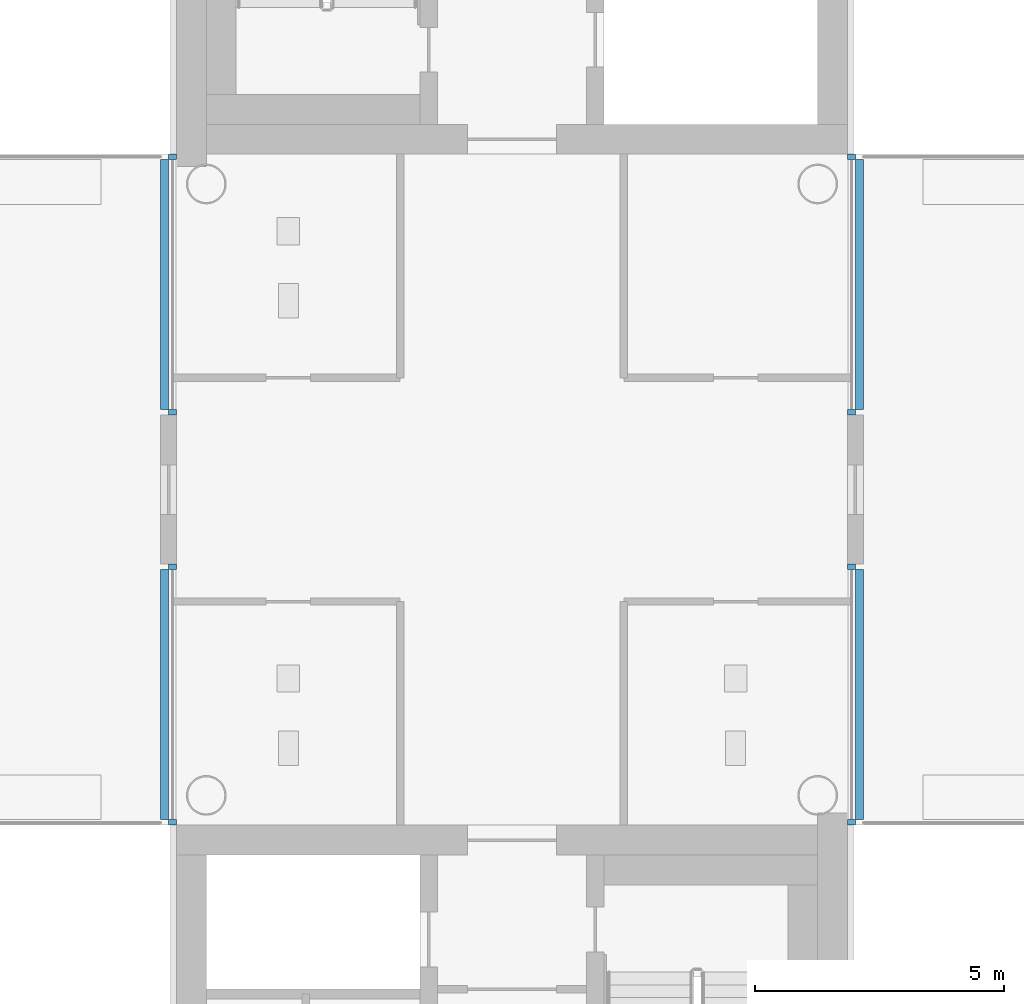
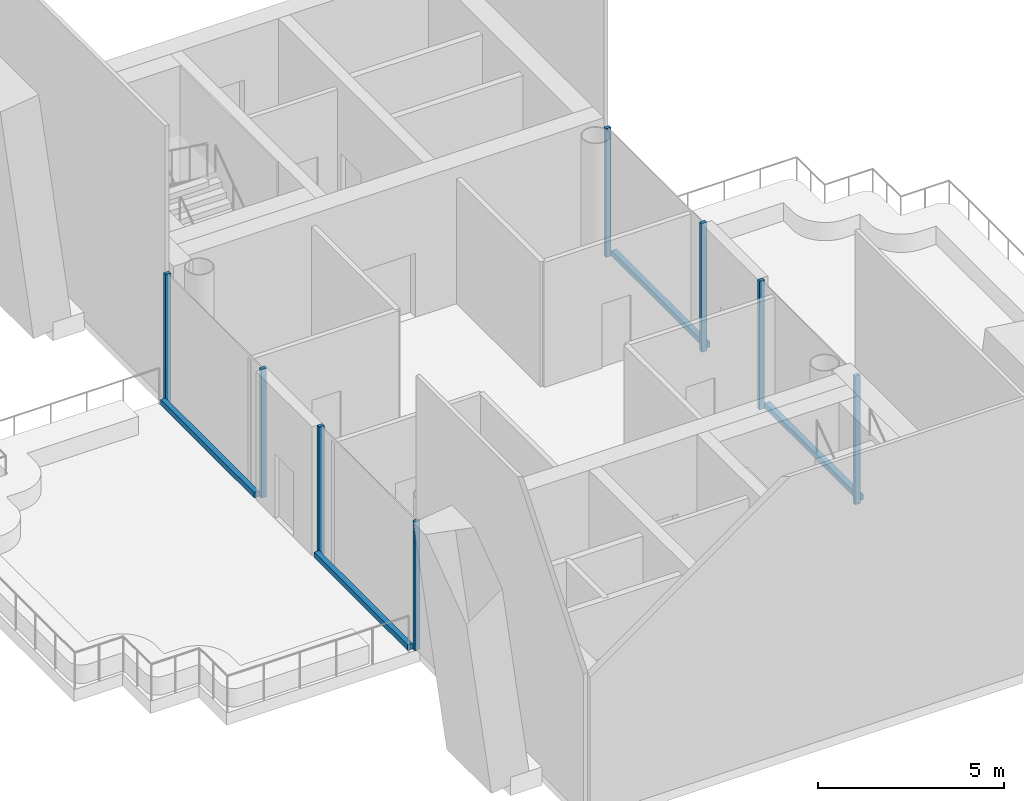
# One storey, part 3 of 17: 12 members, 4 elements without a shape of their own.
"""IFC4 building model written with IfcOpenShell, lengths in metres."""

import ifcopenshell
import ifcopenshell.guid

model = None  # the IFC model being written
_history = None  # IfcOwnerHistory: only IFC2X3 demands one
_inside = {}  # id of a spatial element -> (the spatial element, [elements in it])
_under = {}  # id of a project, library or spatial element -> (it, [spatial elements below it])
_declared = {}  # id of a project -> (the project, [libraries it declares])
_typed = {}  # id of a type object -> (the type object, [elements of that type])
_made_of = {}  # id of a material, layer set ... -> (it, [elements and type objects made of it])


def new_model(schema):
    """Start an empty IFC model of exactly this schema.

    Asked for "IFC4X3", IfcOpenShell would pick the latest addendum, in which some entities
    have other attributes; the version numbers below select the first issue.
    IFC2X3 requires an IfcOwnerHistory on every rooted entity: one is made here for all.
    """
    global model, _history
    if schema == "IFC4X3":
        model = ifcopenshell.file(schema_version=(4, 3, 0, 0))
    else:
        model = ifcopenshell.file(schema=schema)
    _inside.clear()
    _under.clear()
    _declared.clear()
    _typed.clear()
    _made_of.clear()
    _history = None
    if model.schema == "IFC2X3":
        org = make("IfcOrganization", Name="unknown")
        user = make(
            "IfcPersonAndOrganization",
            ThePerson=make("IfcPerson", FamilyName="unknown"),
            TheOrganization=org,
        )
        app = make(
            "IfcApplication",
            ApplicationDeveloper=org,
            Version="unknown",
            ApplicationFullName="unknown",
            ApplicationIdentifier="unknown",
        )
        _history = make(
            "IfcOwnerHistory",
            OwningUser=user,
            OwningApplication=app,
            ChangeAction="ADDED",
            CreationDate=0,
        )
    return model


def make(cls, **values):
    """One entity of the class cls with the attributes given. An attribute that is None is left unset."""
    return model.create_entity(
        cls, **{name: value for name, value in values.items() if value is not None}
    )


def rooted(cls, **values):
    """An entity with a GlobalId (a new one), such as an element, a storey or a relation."""
    return make(cls, GlobalId=ifcopenshell.guid.new(), OwnerHistory=_history, **values)


def si_unit(unit_type, name, prefix=None):
    """IfcSIUnit, for example si_unit("LENGTHUNIT", "METRE", prefix="MILLI")."""
    return make("IfcSIUnit", UnitType=unit_type, Prefix=prefix, Name=name)


def assignment(units):
    """IfcUnitAssignment: the units of a project."""
    return None if units is None else make("IfcUnitAssignment", Units=units)


def point(xyz):
    """IfcCartesianPoint."""
    return None if xyz is None else make("IfcCartesianPoint", Coordinates=xyz)


def direction(xyz):
    """IfcDirection."""
    return None if xyz is None else make("IfcDirection", DirectionRatios=xyz)


def frame(location, z_axis=None, x_axis=None):
    """IfcAxis2Placement3D, a coordinate frame: its origin and axes. An axis left out is left unset."""
    return make(
        "IfcAxis2Placement3D",
        Location=point(location),
        Axis=direction(z_axis),
        RefDirection=direction(x_axis),
    )


def frame_2d(location, x_axis=None):
    """IfcAxis2Placement2D, a coordinate frame in the plane: its origin and x axis."""
    return make(
        "IfcAxis2Placement2D", Location=point(location), RefDirection=direction(x_axis)
    )


def origin():
    """The frame at (0, 0, 0) with its axes left unset."""
    return frame((0.0, 0.0, 0.0))


def origin_2d():
    """The frame at (0, 0) in the plane with its x axis left unset."""
    return frame_2d((0.0, 0.0))


def place(relative_to, where):
    """IfcLocalPlacement: puts the frame where relative to a parent placement (None: the world)."""
    return make(
        "IfcLocalPlacement", PlacementRelTo=relative_to, RelativePlacement=where
    )


def context(
    kind, dimensions, precision=None, world=None, true_north=None, identifier=None
):
    """IfcGeometricRepresentationContext, for example the 3D "Model" context."""
    return make(
        "IfcGeometricRepresentationContext",
        ContextIdentifier=identifier,
        ContextType=kind,
        CoordinateSpaceDimension=dimensions,
        Precision=precision,
        WorldCoordinateSystem=world,
        TrueNorth=true_north,
    )


def subcontext(parent, identifier, kind, view, scale=None):
    """IfcGeometricRepresentationSubContext, for example "Body" below "Model"."""
    return make(
        "IfcGeometricRepresentationSubContext",
        ContextIdentifier=identifier,
        ContextType=kind,
        ParentContext=parent,
        TargetScale=scale,
        TargetView=view,
    )


def project(units=None, contexts=None):
    """IfcProject with its units and contexts."""
    return rooted(
        "IfcProject",
        Name="project",
        RepresentationContexts=contexts,
        UnitsInContext=assignment(units),
    )


def spatial(cls, under=None, at=None, **own):
    """A site, building, storey or space (cls), placed at a placement, below another one or the project."""
    s = rooted(cls, ObjectPlacement=at, **own)
    if under is not None:
        _under.setdefault(under.id(), (under, []))[1].append(s)
    return s


def profile(cls, at=None, kind="AREA", **sizes):
    """A parametric profile (cls). Its sizes go by their IFC names, for example OverallWidth=200.0."""
    return make(cls, ProfileType=kind, Position=at, **sizes)


def rectangle(**sizes):
    """IfcRectangleProfileDef."""
    return profile("IfcRectangleProfileDef", **sizes)


def extrude(swept, where, along, depth):
    """IfcExtrudedAreaSolid: the profile swept, set in the frame where, extruded along a direction by depth."""
    return make(
        "IfcExtrudedAreaSolid",
        SweptArea=swept,
        Position=where,
        ExtrudedDirection=direction(along),
        Depth=depth,
    )


def shape(context_of_items, identifier, shape_type, items):
    """IfcShapeRepresentation: the items that make up one representation, for example the "Body"."""
    return make(
        "IfcShapeRepresentation",
        ContextOfItems=context_of_items,
        RepresentationIdentifier=identifier,
        RepresentationType=shape_type,
        Items=items,
    )


def material(Name=None, Category=None):
    """IfcMaterial."""
    return make("IfcMaterial", Name=Name, Category=Category)


def layer(
    of_material, thickness, ventilated=None, Name=None, Category=None, Priority=None
):
    """IfcMaterialLayer: one layer of a wall or slab, of a material (None: an air gap)."""
    return make(
        "IfcMaterialLayer",
        Material=of_material,
        LayerThickness=thickness,
        IsVentilated=ventilated,
        Name=Name,
        Category=Category,
        Priority=Priority,
    )


def layer_set(layers, Name=None):
    """IfcMaterialLayerSet."""
    return make("IfcMaterialLayerSet", MaterialLayers=layers, LayerSetName=Name)


def material_profile(
    of_material, cross_section, Name=None, Category=None, Priority=None
):
    """IfcMaterialProfile: a cross section and its material."""
    return make(
        "IfcMaterialProfile",
        Name=Name,
        Material=of_material,
        Profile=cross_section,
        Priority=Priority,
        Category=Category,
    )


def profile_set(profiles, Name=None, composite=None):
    """IfcMaterialProfileSet."""
    return make(
        "IfcMaterialProfileSet",
        Name=Name,
        MaterialProfiles=profiles,
        CompositeProfile=composite,
    )


def made_of(thing, what):
    """Note that an element or type object is made of a material, layer set ...; save() writes the relation."""
    if what is not None:
        _made_of.setdefault(what.id(), (what, []))[1].append(thing)
    return thing


def type_object(cls, material=None, **own):
    """A type object (cls), such as IfcWallType, which elements share."""
    return made_of(rooted(cls, **own), material)


def element(
    cls,
    number,
    at=None,
    inside=None,
    cuts=None,
    type_object=None,
    material=None,
    context=None,
    identifier="Body",
    shape_type=None,
    held_by="IfcProductDefinitionShape",
    body=None,
    shapes=None,
    **own,
):
    """One element of the class cls, such as IfcWall. Its Tag is "e" and its number.

    at: its placement. inside: the storey or other place that contains it. cuts: it is an
    opening in that element (IfcRelVoidsElement). A single representation is given by context,
    identifier, shape_type and body (its items); several are given by shapes. held_by: the class
    of the entity that holds the representations. save() writes the other relations.
    """
    e = rooted(cls, Tag="e%d" % number, ObjectPlacement=at, **own)
    if body is not None:
        shapes = [shape(context, identifier, shape_type, body)]
    if shapes is not None:
        e.Representation = make(held_by, Representations=shapes)
    if inside is not None:
        _inside.setdefault(inside.id(), (inside, []))[1].append(e)
    if cuts is not None:
        rooted(
            "IfcRelVoidsElement", RelatingBuildingElement=cuts, RelatedOpeningElement=e
        )
    if type_object is not None:
        _typed.setdefault(type_object.id(), (type_object, []))[1].append(e)
    return made_of(e, material)


def aggregate(whole, parts):
    """IfcRelAggregates: a whole, such as a stair, and the parts it consists of."""
    return rooted("IfcRelAggregates", RelatingObject=whole, RelatedObjects=parts)


def save(model, path):
    """Write the relations noted so far, then the file.

    IfcRelAggregates (storeys below a building ...), IfcRelContainedInSpatialStructure (elements
    in a storey), IfcRelDefinesByType, IfcRelAssociatesMaterial and IfcRelDeclares: one each for
    every whole, place, type object, material and project.
    """
    for whole, parts in _under.values():
        aggregate(whole, parts)
    for where, things in _inside.values():
        rooted(
            "IfcRelContainedInSpatialStructure",
            RelatedElements=things,
            RelatingStructure=where,
        )
    for kind, things in _typed.values():
        rooted("IfcRelDefinesByType", RelatedObjects=things, RelatingType=kind)
    for what, things in _made_of.values():
        rooted("IfcRelAssociatesMaterial", RelatedObjects=things, RelatingMaterial=what)
    for by, libraries in _declared.values():
        rooted("IfcRelDeclares", RelatingContext=by, RelatedDefinitions=libraries)
    model.write(path)


model = new_model("IFC4")

# Units and contexts
model_context = context("Model", 3, precision=1e-05, world=origin(), true_north=direction((0.0, 1.0)))
body_context = subcontext(model_context, "Body", "Model", "MODEL_VIEW")
ifc_project = project(units=[si_unit("LENGTHUNIT", "METRE"), si_unit("AREAUNIT", "SQUARE_METRE"), si_unit("VOLUMEUNIT", "CUBIC_METRE"), si_unit("PLANEANGLEUNIT", "RADIAN"), si_unit("MASSUNIT", "GRAM", prefix="KILO")], contexts=[model_context])

# Site, building, storey
site_placement = place(None, origin())
site = spatial("IfcSite", under=ifc_project, at=site_placement, CompositionType="ELEMENT")
building_placement = place(site_placement, origin())
building = spatial("IfcBuilding", under=site, at=building_placement, Name="Ipe Terrace Towers", CompositionType="ELEMENT")
storey_placement = place(building_placement, frame((0.0, 0.0, 246.89990234375)))
storey = spatial("IfcBuildingStorey", under=building, at=storey_placement, Name="L68", CompositionType="ELEMENT", Elevation=246.89990234375)

# Curtain wall, members
ifc_material_1 = material(Name="Aluminium alloy 6063-T6", Category="aluminium")
ifc_layer = layer(ifc_material_1, 0.320068359375)
ifc_layer_set = layer_set([ifc_layer], Name="TERRACE FRONT CURTAIN WALL")
curtain_wall_type = type_object("IfcCurtainWallType", Name="TERRACE FRONT CURTAIN WALL", PredefinedType="NOTDEFINED", material=ifc_layer_set)
curtain_wall_1_placement = place(storey_placement, origin())
curtain_wall_1 = element("IfcCurtainWall", 1, at=curtain_wall_1_placement, inside=storey, type_object=curtain_wall_type, Name="T2-CW-L68-00b curtain wall", PredefinedType="NOTDEFINED")
ifc_material_2 = material(Name="Aluminium alloy 6063-T6", Category="aluminium")
ifc_material_profile_1 = material_profile(ifc_material_2, rectangle(XDim=0.159912109375, YDim=0.110107421875, at=origin_2d()), Name="TERRACE FRONT CORNER MULLION 160 x 110")
ifc_profile_set_1 = profile_set([ifc_material_profile_1], Name="Aluminium alloy 6063-T6")
member_type_1 = type_object("IfcMemberType", Name="TERRACE FRONT CORNER MULLION 160 x 110", PredefinedType="MULLION", material=ifc_profile_set_1)
member_1_placement = place(storey_placement, frame((42.830078125, -6.694091796875, -0.02001953125), z_axis=(0.0, 0.0, 1.0), x_axis=(1.0, 0.0, 0.0)))
member_1 = element("IfcMember", 2, at=member_1_placement, type_object=member_type_1, Name="T2-CW-L68-00b mullion 1", PredefinedType="MULLION", context=body_context, shape_type="SweptSolid", body=[
    extrude(rectangle(XDim=0.159912109375, YDim=0.110107421875, at=origin_2d()), origin(), (0.0, 0.0, 1.0), 4.22021484375),
])
member_2_placement = place(storey_placement, frame((42.830078125, -1.554931640625, -0.02001953125), z_axis=(0.0, 0.0, 1.0), x_axis=(1.0, 0.0, 0.0)))
member_2 = element("IfcMember", 3, at=member_2_placement, type_object=member_type_1, Name="T2-CW-L68-00b mullion 2", PredefinedType="MULLION", context=body_context, shape_type="SweptSolid", body=[
    extrude(rectangle(XDim=0.159912109375, YDim=0.110107421875, at=origin_2d()), origin(), (0.0, 0.0, 1.0), 4.22021484375),
])

curtain_wall_2_placement = place(storey_placement, origin())
curtain_wall_2 = element("IfcCurtainWall", 4, at=curtain_wall_2_placement, inside=storey, type_object=curtain_wall_type, Name="T2-CW-L68-00d curtain wall", PredefinedType="NOTDEFINED")
member_3_placement = place(storey_placement, frame((42.830078125, 1.554931640625, -0.02001953125), z_axis=(0.0, 0.0, 1.0), x_axis=(1.0, 0.0, 0.0)))
member_3 = element("IfcMember", 5, at=member_3_placement, type_object=member_type_1, Name="T2-CW-L68-00d mullion 1", PredefinedType="MULLION", context=body_context, shape_type="SweptSolid", body=[
    extrude(rectangle(XDim=0.159912109375, YDim=0.110107421875, at=origin_2d()), origin(), (0.0, 0.0, 1.0), 4.22021484375),
])
member_4_placement = place(storey_placement, frame((42.830078125, 6.694091796875, -0.02001953125), z_axis=(0.0, 0.0, 1.0), x_axis=(1.0, 0.0, 0.0)))
member_4 = element("IfcMember", 6, at=member_4_placement, type_object=member_type_1, Name="T2-CW-L68-00d mullion 2", PredefinedType="MULLION", context=body_context, shape_type="SweptSolid", body=[
    extrude(rectangle(XDim=0.159912109375, YDim=0.110107421875, at=origin_2d()), origin(), (0.0, 0.0, 1.0), 4.22021484375),
])

curtain_wall_3_placement = place(storey_placement, origin())
curtain_wall_3 = element("IfcCurtainWall", 7, at=curtain_wall_3_placement, inside=storey, type_object=curtain_wall_type, Name="T2-CW-L68-02b curtain wall", PredefinedType="NOTDEFINED")
member_5_placement = place(storey_placement, frame((29.169921875, 6.694091796875, -0.02001953125), z_axis=(0.0, 0.0, 1.0), x_axis=(-1.0, 0.0, 0.0)))
member_5 = element("IfcMember", 8, at=member_5_placement, type_object=member_type_1, Name="T2-CW-L68-02b mullion 1", PredefinedType="MULLION", context=body_context, shape_type="SweptSolid", body=[
    extrude(rectangle(XDim=0.159912109375, YDim=0.110107421875, at=origin_2d()), origin(), (0.0, 0.0, 1.0), 4.22021484375),
])
member_6_placement = place(storey_placement, frame((29.169921875, 1.554931640625, -0.02001953125), z_axis=(0.0, 0.0, 1.0), x_axis=(-1.0, 0.0, 0.0)))
member_6 = element("IfcMember", 9, at=member_6_placement, type_object=member_type_1, Name="T2-CW-L68-02b mullion 2", PredefinedType="MULLION", context=body_context, shape_type="SweptSolid", body=[
    extrude(rectangle(XDim=0.159912109375, YDim=0.110107421875, at=origin_2d()), origin(), (0.0, 0.0, 1.0), 4.22021484375),
])

curtain_wall_4_placement = place(storey_placement, origin())
curtain_wall_4 = element("IfcCurtainWall", 10, at=curtain_wall_4_placement, inside=storey, type_object=curtain_wall_type, Name="T2-CW-L68-02d curtain wall", PredefinedType="NOTDEFINED")
member_7_placement = place(storey_placement, frame((29.169921875, -1.554931640625, -0.02001953125), z_axis=(0.0, 0.0, 1.0), x_axis=(-1.0, 0.0, 0.0)))
member_7 = element("IfcMember", 11, at=member_7_placement, type_object=member_type_1, Name="T2-CW-L68-02d mullion 1", PredefinedType="MULLION", context=body_context, shape_type="SweptSolid", body=[
    extrude(rectangle(XDim=0.159912109375, YDim=0.110107421875, at=origin_2d()), origin(), (0.0, 0.0, 1.0), 4.22021484375),
])
member_8_placement = place(storey_placement, frame((29.169921875, -6.694091796875, -0.02001953125), z_axis=(0.0, 0.0, 1.0), x_axis=(-1.0, 0.0, 0.0)))
member_8 = element("IfcMember", 12, at=member_8_placement, type_object=member_type_1, Name="T2-CW-L68-02d mullion 2", PredefinedType="MULLION", context=body_context, shape_type="SweptSolid", body=[
    extrude(rectangle(XDim=0.159912109375, YDim=0.110107421875, at=origin_2d()), origin(), (0.0, 0.0, 1.0), 4.22021484375),
])

# Member
ifc_material_3 = material(Name="Aluminium alloy 6063-T6", Category="aluminium")
ifc_material_profile_2 = material_profile(ifc_material_3, rectangle(XDim=0.159912109375, YDim=0.179931640625, at=origin_2d()), Name="TERRACE FRONT TRANSOM 160 x 180")
ifc_profile_set_2 = profile_set([ifc_material_profile_2], Name="Aluminium alloy 6063-T6")
member_type_2 = type_object("IfcMemberType", Name="TERRACE FRONT TRANSOM 160 x 180", PredefinedType="USERDEFINED", material=ifc_profile_set_2)
member_9_placement = place(storey_placement, frame((42.989990234375, -6.638916015625, 0.070068359375), z_axis=(0.0, 1.0, 0.0), x_axis=(1.0, 0.0, 0.0)))
member_9 = element("IfcMember", 13, at=member_9_placement, type_object=member_type_2, Name="T2-CW-L68-00b transom", ObjectType="TRANSOM", PredefinedType="USERDEFINED", context=body_context, shape_type="SweptSolid", body=[
    extrude(rectangle(XDim=0.159912109375, YDim=0.179931640625, at=origin_2d()), origin(), (0.0, 0.0, 1.0), 5.02880859375),
])

aggregate(curtain_wall_1, [member_1, member_2, member_9])

member_10_placement = place(storey_placement, frame((42.989990234375, 1.610107421875, 0.070068359375), z_axis=(0.0, 1.0, 0.0), x_axis=(1.0, 0.0, 0.0)))
member_10 = element("IfcMember", 14, at=member_10_placement, type_object=member_type_2, Name="T2-CW-L68-00d transom", ObjectType="TRANSOM", PredefinedType="USERDEFINED", context=body_context, shape_type="SweptSolid", body=[
    extrude(rectangle(XDim=0.159912109375, YDim=0.179931640625, at=origin_2d()), origin(), (0.0, 0.0, 1.0), 5.02880859375),
])

aggregate(curtain_wall_2, [member_3, member_4, member_10])

member_11_placement = place(storey_placement, frame((29.010009765625, 6.638916015625, 0.070068359375), z_axis=(0.0, -1.0, 0.0), x_axis=(-1.0, 0.0, 0.0)))
member_11 = element("IfcMember", 15, at=member_11_placement, type_object=member_type_2, Name="T2-CW-L68-02b transom", ObjectType="TRANSOM", PredefinedType="USERDEFINED", context=body_context, shape_type="SweptSolid", body=[
    extrude(rectangle(XDim=0.159912109375, YDim=0.179931640625, at=origin_2d()), origin(), (0.0, 0.0, 1.0), 5.02880859375),
])

aggregate(curtain_wall_3, [member_5, member_6, member_11])

member_12_placement = place(storey_placement, frame((29.010009765625, -1.610107421875, 0.070068359375), z_axis=(0.0, -1.0, 0.0), x_axis=(-1.0, 0.0, 0.0)))
member_12 = element("IfcMember", 16, at=member_12_placement, type_object=member_type_2, Name="T2-CW-L68-02d transom", ObjectType="TRANSOM", PredefinedType="USERDEFINED", context=body_context, shape_type="SweptSolid", body=[
    extrude(rectangle(XDim=0.159912109375, YDim=0.179931640625, at=origin_2d()), origin(), (0.0, 0.0, 1.0), 5.02880859375),
])

aggregate(curtain_wall_4, [member_7, member_8, member_12])

save(model, "model.ifc")
